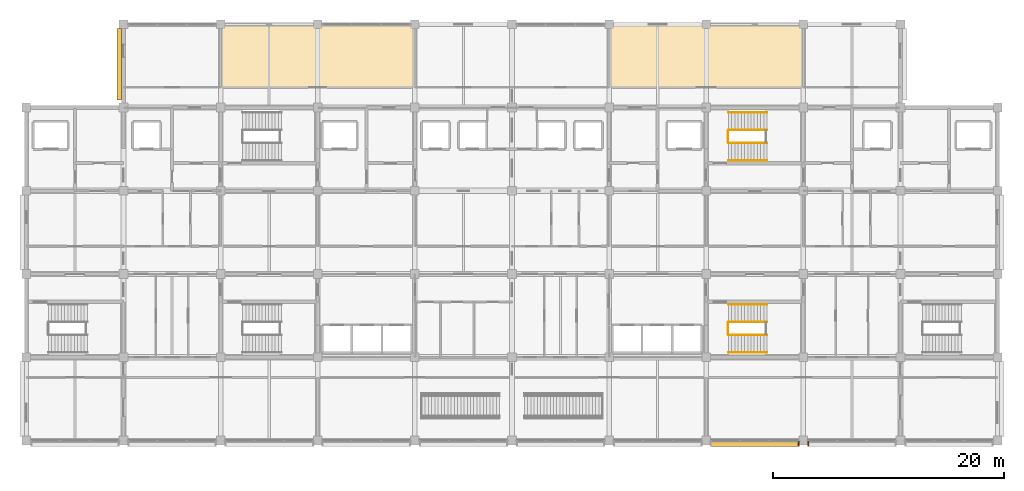
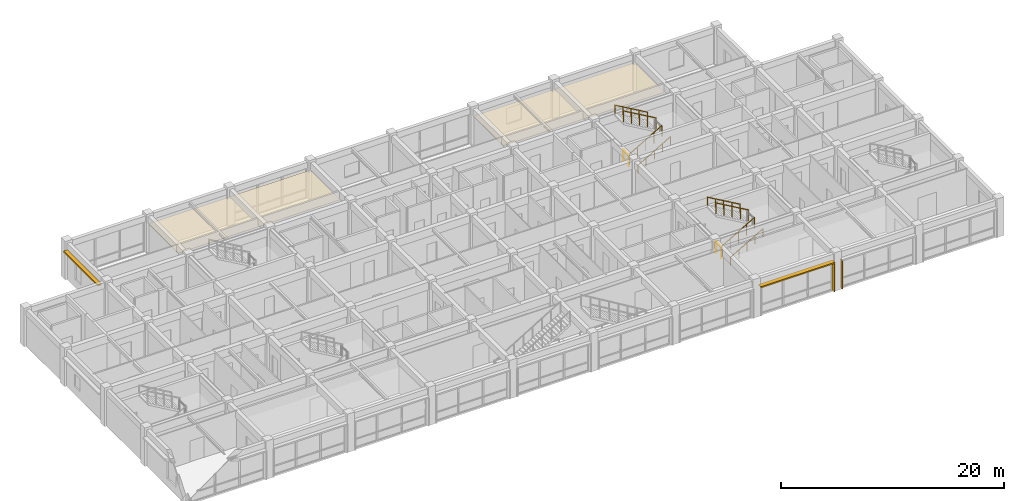
# One storey, part 26 of 27: 10 railings, 4 shading devices, 2 coverings.
"""IFC4 building model written with IfcOpenShell, lengths in metres."""

import ifcopenshell
import ifcopenshell.guid

model = None  # the IFC model being written
_history = None  # IfcOwnerHistory: only IFC2X3 demands one
_inside = {}  # id of a spatial element -> (the spatial element, [elements in it])
_under = {}  # id of a project, library or spatial element -> (it, [spatial elements below it])
_declared = {}  # id of a project -> (the project, [libraries it declares])
_typed = {}  # id of a type object -> (the type object, [elements of that type])
_made_of = {}  # id of a material, layer set ... -> (it, [elements and type objects made of it])


def new_model(schema):
    """Start an empty IFC model of exactly this schema.

    Asked for "IFC4X3", IfcOpenShell would pick the latest addendum, in which some entities
    have other attributes; the version numbers below select the first issue.
    IFC2X3 requires an IfcOwnerHistory on every rooted entity: one is made here for all.
    """
    global model, _history
    if schema == "IFC4X3":
        model = ifcopenshell.file(schema_version=(4, 3, 0, 0))
    else:
        model = ifcopenshell.file(schema=schema)
    _inside.clear()
    _under.clear()
    _declared.clear()
    _typed.clear()
    _made_of.clear()
    _history = None
    if model.schema == "IFC2X3":
        org = make("IfcOrganization", Name="unknown")
        user = make(
            "IfcPersonAndOrganization",
            ThePerson=make("IfcPerson", FamilyName="unknown"),
            TheOrganization=org,
        )
        app = make(
            "IfcApplication",
            ApplicationDeveloper=org,
            Version="unknown",
            ApplicationFullName="unknown",
            ApplicationIdentifier="unknown",
        )
        _history = make(
            "IfcOwnerHistory",
            OwningUser=user,
            OwningApplication=app,
            ChangeAction="ADDED",
            CreationDate=0,
        )
    return model


def make(cls, **values):
    """One entity of the class cls with the attributes given. An attribute that is None is left unset."""
    return model.create_entity(
        cls, **{name: value for name, value in values.items() if value is not None}
    )


def rooted(cls, **values):
    """An entity with a GlobalId (a new one), such as an element, a storey or a relation."""
    return make(cls, GlobalId=ifcopenshell.guid.new(), OwnerHistory=_history, **values)


def si_unit(unit_type, name, prefix=None):
    """IfcSIUnit, for example si_unit("LENGTHUNIT", "METRE", prefix="MILLI")."""
    return make("IfcSIUnit", UnitType=unit_type, Prefix=prefix, Name=name)


def assignment(units):
    """IfcUnitAssignment: the units of a project."""
    return None if units is None else make("IfcUnitAssignment", Units=units)


def point(xyz):
    """IfcCartesianPoint."""
    return None if xyz is None else make("IfcCartesianPoint", Coordinates=xyz)


def direction(xyz):
    """IfcDirection."""
    return None if xyz is None else make("IfcDirection", DirectionRatios=xyz)


def frame(location, z_axis=None, x_axis=None):
    """IfcAxis2Placement3D, a coordinate frame: its origin and axes. An axis left out is left unset."""
    return make(
        "IfcAxis2Placement3D",
        Location=point(location),
        Axis=direction(z_axis),
        RefDirection=direction(x_axis),
    )


def frame_2d(location, x_axis=None):
    """IfcAxis2Placement2D, a coordinate frame in the plane: its origin and x axis."""
    return make(
        "IfcAxis2Placement2D", Location=point(location), RefDirection=direction(x_axis)
    )


def origin():
    """The frame at (0, 0, 0) with its axes left unset."""
    return frame((0.0, 0.0, 0.0))


def origin_2d():
    """The frame at (0, 0) in the plane with its x axis left unset."""
    return frame_2d((0.0, 0.0))


def place(relative_to, where):
    """IfcLocalPlacement: puts the frame where relative to a parent placement (None: the world)."""
    return make(
        "IfcLocalPlacement", PlacementRelTo=relative_to, RelativePlacement=where
    )


def context(
    kind, dimensions, precision=None, world=None, true_north=None, identifier=None
):
    """IfcGeometricRepresentationContext, for example the 3D "Model" context."""
    return make(
        "IfcGeometricRepresentationContext",
        ContextIdentifier=identifier,
        ContextType=kind,
        CoordinateSpaceDimension=dimensions,
        Precision=precision,
        WorldCoordinateSystem=world,
        TrueNorth=true_north,
    )


def subcontext(parent, identifier, kind, view, scale=None):
    """IfcGeometricRepresentationSubContext, for example "Body" below "Model"."""
    return make(
        "IfcGeometricRepresentationSubContext",
        ContextIdentifier=identifier,
        ContextType=kind,
        ParentContext=parent,
        TargetScale=scale,
        TargetView=view,
    )


def project(units=None, contexts=None):
    """IfcProject with its units and contexts."""
    return rooted(
        "IfcProject",
        Name="project",
        RepresentationContexts=contexts,
        UnitsInContext=assignment(units),
    )


def spatial(cls, under=None, at=None, **own):
    """A site, building, storey or space (cls), placed at a placement, below another one or the project."""
    s = rooted(cls, ObjectPlacement=at, **own)
    if under is not None:
        _under.setdefault(under.id(), (under, []))[1].append(s)
    return s


def polyline(points):
    """IfcPolyline through the points."""
    return make("IfcPolyline", Points=[point(p) for p in points])


def profile(cls, at=None, kind="AREA", **sizes):
    """A parametric profile (cls). Its sizes go by their IFC names, for example OverallWidth=200.0."""
    return make(cls, ProfileType=kind, Position=at, **sizes)


def rectangle(**sizes):
    """IfcRectangleProfileDef."""
    return profile("IfcRectangleProfileDef", **sizes)


def circle(**sizes):
    """IfcCircleProfileDef."""
    return profile("IfcCircleProfileDef", **sizes)


def outline(outer, holes=None, kind="AREA"):
    """IfcArbitraryClosedProfileDef: a profile drawn as a closed curve; with holes, ...WithVoids."""
    if holes is None:
        return make("IfcArbitraryClosedProfileDef", ProfileType=kind, OuterCurve=outer)
    return make(
        "IfcArbitraryProfileDefWithVoids",
        ProfileType=kind,
        OuterCurve=outer,
        InnerCurves=holes,
    )


def extrude(swept, where, along, depth):
    """IfcExtrudedAreaSolid: the profile swept, set in the frame where, extruded along a direction by depth."""
    return make(
        "IfcExtrudedAreaSolid",
        SweptArea=swept,
        Position=where,
        ExtrudedDirection=direction(along),
        Depth=depth,
    )


def shape(context_of_items, identifier, shape_type, items):
    """IfcShapeRepresentation: the items that make up one representation, for example the "Body"."""
    return make(
        "IfcShapeRepresentation",
        ContextOfItems=context_of_items,
        RepresentationIdentifier=identifier,
        RepresentationType=shape_type,
        Items=items,
    )


def material(Name=None, Category=None):
    """IfcMaterial."""
    return make("IfcMaterial", Name=Name, Category=Category)


def layer(
    of_material, thickness, ventilated=None, Name=None, Category=None, Priority=None
):
    """IfcMaterialLayer: one layer of a wall or slab, of a material (None: an air gap)."""
    return make(
        "IfcMaterialLayer",
        Material=of_material,
        LayerThickness=thickness,
        IsVentilated=ventilated,
        Name=Name,
        Category=Category,
        Priority=Priority,
    )


def layer_set(layers, Name=None):
    """IfcMaterialLayerSet."""
    return make("IfcMaterialLayerSet", MaterialLayers=layers, LayerSetName=Name)


def made_of(thing, what):
    """Note that an element or type object is made of a material, layer set ...; save() writes the relation."""
    if what is not None:
        _made_of.setdefault(what.id(), (what, []))[1].append(thing)
    return thing


def type_object(cls, material=None, **own):
    """A type object (cls), such as IfcWallType, which elements share."""
    return made_of(rooted(cls, **own), material)


def element(
    cls,
    number,
    at=None,
    inside=None,
    cuts=None,
    type_object=None,
    material=None,
    context=None,
    identifier="Body",
    shape_type=None,
    held_by="IfcProductDefinitionShape",
    body=None,
    shapes=None,
    **own,
):
    """One element of the class cls, such as IfcWall. Its Tag is "e" and its number.

    at: its placement. inside: the storey or other place that contains it. cuts: it is an
    opening in that element (IfcRelVoidsElement). A single representation is given by context,
    identifier, shape_type and body (its items); several are given by shapes. held_by: the class
    of the entity that holds the representations. save() writes the other relations.
    """
    e = rooted(cls, Tag="e%d" % number, ObjectPlacement=at, **own)
    if body is not None:
        shapes = [shape(context, identifier, shape_type, body)]
    if shapes is not None:
        e.Representation = make(held_by, Representations=shapes)
    if inside is not None:
        _inside.setdefault(inside.id(), (inside, []))[1].append(e)
    if cuts is not None:
        rooted(
            "IfcRelVoidsElement", RelatingBuildingElement=cuts, RelatedOpeningElement=e
        )
    if type_object is not None:
        _typed.setdefault(type_object.id(), (type_object, []))[1].append(e)
    return made_of(e, material)


def aggregate(whole, parts):
    """IfcRelAggregates: a whole, such as a stair, and the parts it consists of."""
    return rooted("IfcRelAggregates", RelatingObject=whole, RelatedObjects=parts)


def save(model, path):
    """Write the relations noted so far, then the file.

    IfcRelAggregates (storeys below a building ...), IfcRelContainedInSpatialStructure (elements
    in a storey), IfcRelDefinesByType, IfcRelAssociatesMaterial and IfcRelDeclares: one each for
    every whole, place, type object, material and project.
    """
    for whole, parts in _under.values():
        aggregate(whole, parts)
    for where, things in _inside.values():
        rooted(
            "IfcRelContainedInSpatialStructure",
            RelatedElements=things,
            RelatingStructure=where,
        )
    for kind, things in _typed.values():
        rooted("IfcRelDefinesByType", RelatedObjects=things, RelatingType=kind)
    for what, things in _made_of.values():
        rooted("IfcRelAssociatesMaterial", RelatedObjects=things, RelatingMaterial=what)
    for by, libraries in _declared.values():
        rooted("IfcRelDeclares", RelatingContext=by, RelatedDefinitions=libraries)
    model.write(path)


model = new_model("IFC4")

# Units and contexts
model_context = context("Model", 3, precision=1e-05, world=origin(), true_north=direction((0.0, 1.0)))
body_context = subcontext(model_context, "Body", "Model", "MODEL_VIEW")
ifc_project = project(units=[si_unit("LENGTHUNIT", "METRE"), si_unit("AREAUNIT", "SQUARE_METRE"), si_unit("VOLUMEUNIT", "CUBIC_METRE"), si_unit("PLANEANGLEUNIT", "RADIAN"), si_unit("MASSUNIT", "GRAM", prefix="KILO")], contexts=[model_context])

# Site, building, storey
site_placement = place(None, origin())
site = spatial("IfcSite", under=ifc_project, at=site_placement, CompositionType="ELEMENT")
building_placement = place(site_placement, origin())
building = spatial("IfcBuilding", under=site, at=building_placement, Name="Chengyuan Square Courthouse", CompositionType="ELEMENT")
storey_placement = place(building_placement, frame((0.0, 0.0, 39.300048828125)))
storey = spatial("IfcBuildingStorey", under=building, at=storey_placement, Name="L09", CompositionType="ELEMENT", Elevation=39.300048828125)

# Coverings
ifc_material_1 = material(Name="Perforated Larch Glulam Acoustic Slat Ceiling", Category="wood")
ifc_layer = layer(ifc_material_1, 0.044921875)
ifc_layer_set = layer_set([ifc_layer], Name="Perforated Larch Glulam Acoustic Slat Ceiling")
covering_type = type_object("IfcCoveringType", Name="CLG-01", PredefinedType="CEILING", material=ifc_layer_set)
covering_1_placement = place(storey_placement, frame((0.0, 0.0, 2.849853515625)))
element("IfcCovering", 1, at=covering_1_placement, inside=storey, type_object=covering_type, Name="Acoustic Timber Slat Ceiling CLG-L09-ACN-07", PredefinedType="CEILING", context=body_context, shape_type="SweptSolid", body=[
    extrude(outline(polyline([(58.85009765625, 109.800048828125), (75.550048828125, 109.800048828125), (75.550048828125, 115.14990234375), (58.85009765625, 115.14990234375), (58.85009765625, 109.800048828125)])), origin(), (0.0, 0.0, 1.0), 0.045166015625),
])
covering_2_placement = place(storey_placement, frame((0.0, 0.0, 2.849853515625)))
element("IfcCovering", 2, at=covering_2_placement, inside=storey, type_object=covering_type, Name="Acoustic Timber Slat Ceiling CLG-L09-ACN-11", PredefinedType="CEILING", context=body_context, shape_type="SweptSolid", body=[
    extrude(outline(polyline([(92.449951171875, 109.800048828125), (109.14990234375, 109.800048828125), (109.14990234375, 115.14990234375), (92.449951171875, 115.14990234375), (92.449951171875, 109.800048828125)])), origin(), (0.0, 0.0, 1.0), 0.045166015625),
])

# Railings
ifc_material_2 = material(Name="Tempered Glass and Timber Top-Rail Balustrade", Category="wood")
railing_type_1 = type_object("IfcRailingType", Name="RL-02", PredefinedType="BALUSTRADE", material=ifc_material_2)
railing_1_placement = place(storey_placement, frame((102.68994140625, 105.0, 0.0)))
element("IfcRailing", 3, at=railing_1_placement, inside=storey, type_object=railing_type_1, Name="Stair Floor Slot Guard ST-2 L09", PredefinedType="BALUSTRADE", context=body_context, shape_type="SweptSolid", body=[
    extrude(circle(Radius=0.02392578125, at=origin_2d()), frame((0.0, 0.0, 1.17578125), z_axis=(0.0, 1.0, 0.0), x_axis=(-1.0, 0.0, 0.0)), (0.0, 0.0, 1.0), 1.0),
    extrude(circle(Radius=0.02099609375, at=origin_2d()), origin(), (0.0, 0.0, 1.0), 1.15185546875),
    extrude(circle(Radius=0.02099609375, at=origin_2d()), frame((0.0, 1.0, 0.0)), (0.0, 0.0, 1.0), 1.15185546875),
])
railing_2_placement = place(storey_placement, frame((102.7099609375, 104.949951171875, 0.161376953125)))
element("IfcRailing", 4, at=railing_2_placement, inside=storey, type_object=railing_type_1, Name="Stair Flight 1 Guard ST-2-L09", PredefinedType="BALUSTRADE", context=body_context, shape_type="SweptSolid", body=[
    extrude(circle(Radius=0.02392578125, at=origin_2d()), frame((0.0, 0.0, 1.17578125), z_axis=(0.866190824863, 0.0, 0.499713372768), x_axis=(0.0, 1.0, 0.0)), (0.0, 0.0, 1.0), 3.879150390625),
    extrude(circle(Radius=0.02099609375, at=origin_2d()), origin(), (0.0, 0.0, 1.0), 1.15185546875),
    extrude(circle(Radius=0.02099609375, at=origin_2d()), frame((0.840087890625, 0.0, 0.484619140625)), (0.0, 0.0, 1.0), 1.15185546875),
    extrude(circle(Radius=0.02099609375, at=origin_2d()), frame((1.68017578125, 0.0, 0.96923828125)), (0.0, 0.0, 1.0), 1.15185546875),
    extrude(circle(Radius=0.02099609375, at=origin_2d()), frame((2.52001953125, 0.0, 1.453857421875)), (0.0, 0.0, 1.0), 1.15185546875),
    extrude(circle(Radius=0.02099609375, at=origin_2d()), frame((3.360107421875, 0.0, 1.9384765625)), (0.0, 0.0, 1.0), 1.15185546875),
])
railing_3_placement = place(storey_placement, frame((106.070068359375, 106.050048828125, 2.261474609375)))
element("IfcRailing", 5, at=railing_3_placement, inside=storey, type_object=railing_type_1, Name="Stair Flight 2 Guard ST-2-L09", PredefinedType="BALUSTRADE", context=body_context, shape_type="SweptSolid", body=[
    extrude(circle(Radius=0.02392578125, at=origin_2d()), frame((0.0, 0.0, 1.17578125), z_axis=(-0.866190824863, 0.0, 0.499713372768), x_axis=(0.0, -1.0, 0.0)), (0.0, 0.0, 1.0), 3.879150390625),
    extrude(circle(Radius=0.02099609375, at=origin_2d()), origin(), (0.0, 0.0, 1.0), 1.15185546875),
    extrude(circle(Radius=0.02099609375, at=origin_2d()), frame((-0.840087890625, 0.0, 0.484619140625)), (0.0, 0.0, 1.0), 1.15185546875),
    extrude(circle(Radius=0.02099609375, at=origin_2d()), frame((-1.68017578125, 0.0, 0.96923828125)), (0.0, 0.0, 1.0), 1.15185546875),
    extrude(circle(Radius=0.02099609375, at=origin_2d()), frame((-2.52001953125, 0.0, 1.453857421875)), (0.0, 0.0, 1.0), 1.15185546875),
    extrude(circle(Radius=0.02099609375, at=origin_2d()), frame((-3.360107421875, 0.0, 1.9384765625)), (0.0, 0.0, 1.0), 1.15185546875),
])
railing_4_placement = place(storey_placement, frame((102.68994140625, 88.39990234375, 0.0)))
element("IfcRailing", 6, at=railing_4_placement, inside=storey, type_object=railing_type_1, Name="Stair Floor Slot Guard ST-4 L09", PredefinedType="BALUSTRADE", context=body_context, shape_type="SweptSolid", body=[
    extrude(circle(Radius=0.02392578125, at=origin_2d()), frame((0.0, 0.0, 1.17578125), z_axis=(0.0, 1.0, 0.0), x_axis=(-1.0, 0.0, 0.0)), (0.0, 0.0, 1.0), 1.0),
    extrude(circle(Radius=0.02099609375, at=origin_2d()), origin(), (0.0, 0.0, 1.0), 1.15185546875),
    extrude(circle(Radius=0.02099609375, at=origin_2d()), frame((0.0, 1.0, 0.0)), (0.0, 0.0, 1.0), 1.15185546875),
])
railing_5_placement = place(storey_placement, frame((102.7099609375, 88.35009765625, 0.161376953125)))
element("IfcRailing", 7, at=railing_5_placement, inside=storey, type_object=railing_type_1, Name="Stair Flight 1 Guard ST-4-L09", PredefinedType="BALUSTRADE", context=body_context, shape_type="SweptSolid", body=[
    extrude(circle(Radius=0.02392578125, at=origin_2d()), frame((0.0, 0.0, 1.17578125), z_axis=(0.866190824863, 0.0, 0.499713372768), x_axis=(0.0, 1.0, 0.0)), (0.0, 0.0, 1.0), 3.879150390625),
    extrude(circle(Radius=0.02099609375, at=origin_2d()), origin(), (0.0, 0.0, 1.0), 1.15185546875),
    extrude(circle(Radius=0.02099609375, at=origin_2d()), frame((0.840087890625, 0.0, 0.484619140625)), (0.0, 0.0, 1.0), 1.15185546875),
    extrude(circle(Radius=0.02099609375, at=origin_2d()), frame((1.68017578125, 0.0, 0.96923828125)), (0.0, 0.0, 1.0), 1.15185546875),
    extrude(circle(Radius=0.02099609375, at=origin_2d()), frame((2.52001953125, 0.0, 1.453857421875)), (0.0, 0.0, 1.0), 1.15185546875),
    extrude(circle(Radius=0.02099609375, at=origin_2d()), frame((3.360107421875, 0.0, 1.9384765625)), (0.0, 0.0, 1.0), 1.15185546875),
])
railing_6_placement = place(storey_placement, frame((106.070068359375, 89.449951171875, 2.261474609375)))
element("IfcRailing", 8, at=railing_6_placement, inside=storey, type_object=railing_type_1, Name="Stair Flight 2 Guard ST-4-L09", PredefinedType="BALUSTRADE", context=body_context, shape_type="SweptSolid", body=[
    extrude(circle(Radius=0.02392578125, at=origin_2d()), frame((0.0, 0.0, 1.17578125), z_axis=(-0.866190824863, 0.0, 0.499713372768), x_axis=(0.0, -1.0, 0.0)), (0.0, 0.0, 1.0), 3.879150390625),
    extrude(circle(Radius=0.02099609375, at=origin_2d()), origin(), (0.0, 0.0, 1.0), 1.15185546875),
    extrude(circle(Radius=0.02099609375, at=origin_2d()), frame((-0.840087890625, 0.0, 0.484619140625)), (0.0, 0.0, 1.0), 1.15185546875),
    extrude(circle(Radius=0.02099609375, at=origin_2d()), frame((-1.68017578125, 0.0, 0.96923828125)), (0.0, 0.0, 1.0), 1.15185546875),
    extrude(circle(Radius=0.02099609375, at=origin_2d()), frame((-2.52001953125, 0.0, 1.453857421875)), (0.0, 0.0, 1.0), 1.15185546875),
    extrude(circle(Radius=0.02099609375, at=origin_2d()), frame((-3.360107421875, 0.0, 1.9384765625)), (0.0, 0.0, 1.0), 1.15185546875),
])
ifc_material_3 = material(Name="Stainless Steel S30408 Stair Handrail", Category="steel")
railing_type_2 = type_object("IfcRailingType", Name="RL-04", PredefinedType="HANDRAIL", material=ifc_material_3)
railing_7_placement = place(storey_placement, frame((102.7099609375, 103.419921875, 0.161376953125)))
element("IfcRailing", 9, at=railing_7_placement, inside=storey, type_object=railing_type_2, Name="Stair Flight 1 Handrail ST-2-L09", PredefinedType="HANDRAIL", context=body_context, shape_type="SweptSolid", body=[
    extrude(circle(Radius=0.02392578125, at=origin_2d()), frame((0.0, 0.0, 0.8759765625), z_axis=(0.866190824863, 0.0, 0.499713372768), x_axis=(0.0, 1.0, 0.0)), (0.0, 0.0, 1.0), 3.879150390625),
    extrude(circle(Radius=0.02099609375, at=origin_2d()), origin(), (0.0, 0.0, 1.0), 0.851806640625),
    extrude(circle(Radius=0.02099609375, at=origin_2d()), frame((0.840087890625, 0.0, 0.484619140625)), (0.0, 0.0, 1.0), 0.851806640625),
    extrude(circle(Radius=0.02099609375, at=origin_2d()), frame((1.68017578125, 0.0, 0.96923828125)), (0.0, 0.0, 1.0), 0.851806640625),
    extrude(circle(Radius=0.02099609375, at=origin_2d()), frame((2.52001953125, 0.0, 1.453857421875)), (0.0, 0.0, 1.0), 0.851806640625),
    extrude(circle(Radius=0.02099609375, at=origin_2d()), frame((3.360107421875, 0.0, 1.9384765625)), (0.0, 0.0, 1.0), 0.851806640625),
])
railing_8_placement = place(storey_placement, frame((106.070068359375, 107.580078125, 2.261474609375)))
element("IfcRailing", 10, at=railing_8_placement, inside=storey, type_object=railing_type_2, Name="Stair Flight 2 Handrail ST-2-L09", PredefinedType="HANDRAIL", context=body_context, shape_type="SweptSolid", body=[
    extrude(circle(Radius=0.02392578125, at=origin_2d()), frame((0.0, 0.0, 0.8759765625), z_axis=(-0.866190824863, 0.0, 0.499713372768), x_axis=(0.0, -1.0, 0.0)), (0.0, 0.0, 1.0), 3.879150390625),
    extrude(circle(Radius=0.02099609375, at=origin_2d()), origin(), (0.0, 0.0, 1.0), 0.851806640625),
    extrude(circle(Radius=0.02099609375, at=origin_2d()), frame((-0.840087890625, 0.0, 0.484619140625)), (0.0, 0.0, 1.0), 0.851806640625),
    extrude(circle(Radius=0.02099609375, at=origin_2d()), frame((-1.68017578125, 0.0, 0.96923828125)), (0.0, 0.0, 1.0), 0.851806640625),
    extrude(circle(Radius=0.02099609375, at=origin_2d()), frame((-2.52001953125, 0.0, 1.453857421875)), (0.0, 0.0, 1.0), 0.851806640625),
    extrude(circle(Radius=0.02099609375, at=origin_2d()), frame((-3.360107421875, 0.0, 1.9384765625)), (0.0, 0.0, 1.0), 0.851806640625),
])
railing_9_placement = place(storey_placement, frame((102.7099609375, 86.820068359375, 0.161376953125)))
element("IfcRailing", 11, at=railing_9_placement, inside=storey, type_object=railing_type_2, Name="Stair Flight 1 Handrail ST-4-L09", PredefinedType="HANDRAIL", context=body_context, shape_type="SweptSolid", body=[
    extrude(circle(Radius=0.02392578125, at=origin_2d()), frame((0.0, 0.0, 0.8759765625), z_axis=(0.866190824863, 0.0, 0.499713372768), x_axis=(0.0, 1.0, 0.0)), (0.0, 0.0, 1.0), 3.879150390625),
    extrude(circle(Radius=0.02099609375, at=origin_2d()), origin(), (0.0, 0.0, 1.0), 0.851806640625),
    extrude(circle(Radius=0.02099609375, at=origin_2d()), frame((0.840087890625, 0.0, 0.484619140625)), (0.0, 0.0, 1.0), 0.851806640625),
    extrude(circle(Radius=0.02099609375, at=origin_2d()), frame((1.68017578125, 0.0, 0.96923828125)), (0.0, 0.0, 1.0), 0.851806640625),
    extrude(circle(Radius=0.02099609375, at=origin_2d()), frame((2.52001953125, 0.0, 1.453857421875)), (0.0, 0.0, 1.0), 0.851806640625),
    extrude(circle(Radius=0.02099609375, at=origin_2d()), frame((3.360107421875, 0.0, 1.9384765625)), (0.0, 0.0, 1.0), 0.851806640625),
])
railing_10_placement = place(storey_placement, frame((106.070068359375, 90.97998046875, 2.261474609375)))
element("IfcRailing", 12, at=railing_10_placement, inside=storey, type_object=railing_type_2, Name="Stair Flight 2 Handrail ST-4-L09", PredefinedType="HANDRAIL", context=body_context, shape_type="SweptSolid", body=[
    extrude(circle(Radius=0.02392578125, at=origin_2d()), frame((0.0, 0.0, 0.8759765625), z_axis=(-0.866190824863, 0.0, 0.499713372768), x_axis=(0.0, -1.0, 0.0)), (0.0, 0.0, 1.0), 3.879150390625),
    extrude(circle(Radius=0.02099609375, at=origin_2d()), origin(), (0.0, 0.0, 1.0), 0.851806640625),
    extrude(circle(Radius=0.02099609375, at=origin_2d()), frame((-0.840087890625, 0.0, 0.484619140625)), (0.0, 0.0, 1.0), 0.851806640625),
    extrude(circle(Radius=0.02099609375, at=origin_2d()), frame((-1.68017578125, 0.0, 0.96923828125)), (0.0, 0.0, 1.0), 0.851806640625),
    extrude(circle(Radius=0.02099609375, at=origin_2d()), frame((-2.52001953125, 0.0, 1.453857421875)), (0.0, 0.0, 1.0), 0.851806640625),
    extrude(circle(Radius=0.02099609375, at=origin_2d()), frame((-3.360107421875, 0.0, 1.9384765625)), (0.0, 0.0, 1.0), 0.851806640625),
])

# Shading devices
ifc_material_4 = material(Name="Glulam TCt28 Solar Shading Fin", Category="wood")
shading_device_type_1 = type_object("IfcShadingDeviceType", Name="SHD-01", PredefinedType="JALOUSIE", material=ifc_material_4)
for number, where, z_axis, x_axis, name in (
    (13, (108.794921875, 78.91796875, 0.0400390625), (0.0, 0.0, 1.0), (0.0, 1.0, 0.0), "Glulam Solar Fin SHD-L09-0744"),
    (14, (109.60498046875, 78.91796875, 0.0400390625), (0.0, 0.0, 1.0), (0.0, 1.0, 0.0), "Glulam Solar Fin SHD-L09-0746"),
):
    element("IfcShadingDevice", number, at=place(storey_placement, frame(where, z_axis=z_axis, x_axis=x_axis)), inside=storey, type_object=shading_device_type_1, Name=name, PredefinedType="JALOUSIE", context=body_context, shape_type="SweptSolid", body=[
        extrude(rectangle(XDim=0.419921875, YDim=0.094970703125, at=origin_2d()), origin(), (0.0, 0.0, 1.0), 3.090087890625),
    ])
ifc_material_5 = material(Name="Glulam TCt28 Sunshade Louvre", Category="wood")
shading_device_type_2 = type_object("IfcShadingDeviceType", Name="SHD-02", PredefinedType="AWNING", material=ifc_material_5)
shading_device_1_placement = place(storey_placement, frame((105.0, 78.91796875, 3.1298828125), z_axis=(0.0, 0.0, 1.0), x_axis=(1.0, 0.0, 0.0)))
element("IfcShadingDevice", 15, at=shading_device_1_placement, inside=storey, type_object=shading_device_type_2, Name="Glulam Sunshade Louvre SHD-L09-0745", PredefinedType="AWNING", context=body_context, shape_type="SweptSolid", body=[
    extrude(rectangle(XDim=7.64990234375, YDim=0.43994140625, at=origin_2d()), origin(), (0.0, 0.0, 1.0), 0.139892578125),
])
ifc_material_6 = material(Name="Glulam TCt28 Facade Sunshade", Category="wood")
shading_device_type_3 = type_object("IfcShadingDeviceType", Name="SHD-03", PredefinedType="AWNING", material=ifc_material_6)
shading_device_2_placement = place(storey_placement, frame((50.048095703125, 111.75, 3.10986328125), z_axis=(0.0, 0.0, 1.0), x_axis=(0.0, 1.0, 0.0)))
element("IfcShadingDevice", 16, at=shading_device_2_placement, inside=storey, type_object=shading_device_type_3, Name="Glulam Facade Sunshade SHD-L09-0727", PredefinedType="AWNING", context=body_context, shape_type="SweptSolid", body=[
    extrude(rectangle(XDim=6.159912109375, YDim=0.39990234375, at=origin_2d()), origin(), (0.0, 0.0, 1.0), 0.139892578125),
])

save(model, "model.ifc")
